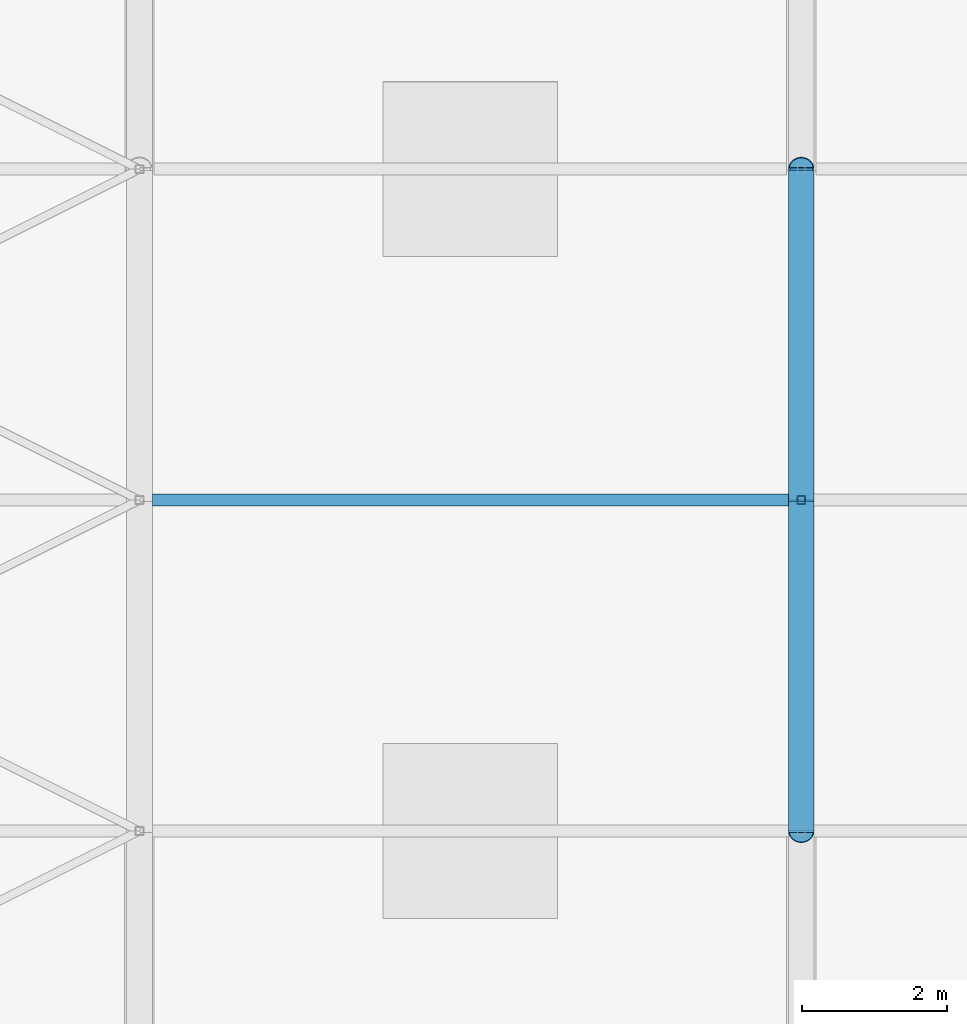
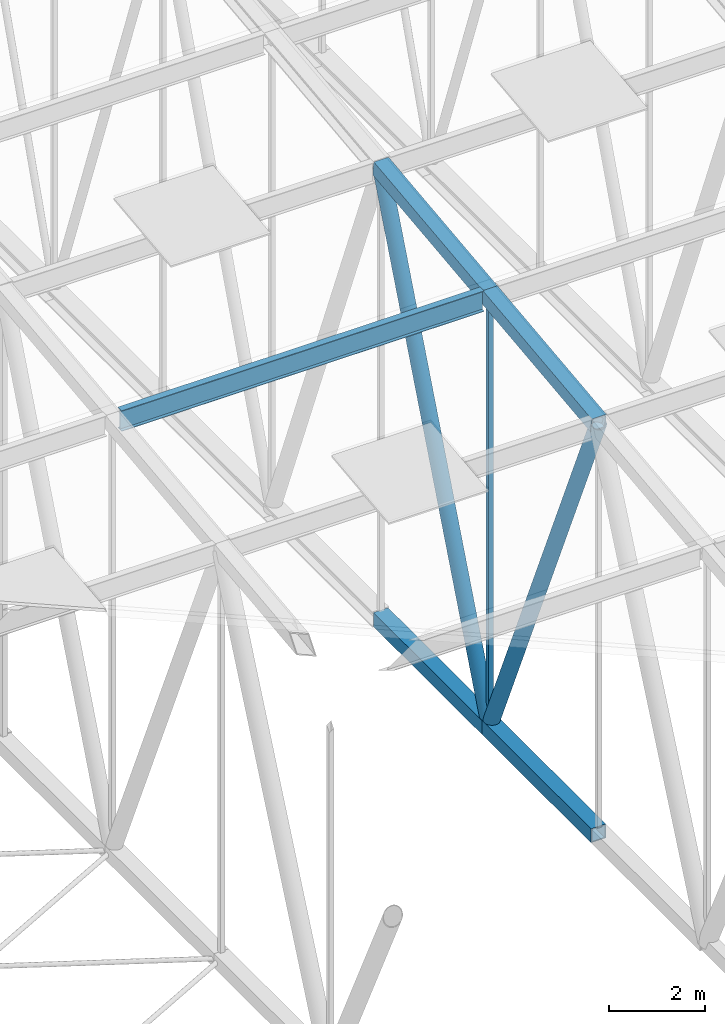
# One storey, part 129 of 500: 8 members.
"""IFC4 building model written with IfcOpenShell, lengths in metres."""

from ifc_helpers import new_model, si_unit, direction, frame, origin, origin_2d, place, context, subcontext, project, spatial, hollow_rectangle, hollow_circle, i_section, extrude, material, material_profile, profile_set, type_object, element, save


model = new_model("IFC4")

# Units and contexts
model_context = context("Model", 3, precision=1e-05, world=origin(), true_north=direction((0.0, 1.0)))
body_context = subcontext(model_context, "Body", "Model", "MODEL_VIEW")
ifc_project = project(units=[si_unit("LENGTHUNIT", "METRE"), si_unit("AREAUNIT", "SQUARE_METRE"), si_unit("VOLUMEUNIT", "CUBIC_METRE"), si_unit("PLANEANGLEUNIT", "RADIAN"), si_unit("MASSUNIT", "GRAM", prefix="KILO")], contexts=[model_context])

# Site, building, storey
site_placement = place(None, origin())
site = spatial("IfcSite", under=ifc_project, at=site_placement, CompositionType="ELEMENT")
building_placement = place(site_placement, origin())
building = spatial("IfcBuilding", under=site, at=building_placement, Name="Shirokan Park Arena", CompositionType="ELEMENT")
storey_placement = place(building_placement, frame((0.0, 0.0, 29.1201171875)))
storey = spatial("IfcBuildingStorey", under=building, at=storey_placement, Name="L06", CompositionType="ELEMENT", Elevation=29.1201171875)

# Members
ifc_material_1 = material(Name="Steel S355J2H", Category="steel")
ifc_material_profile_1 = material_profile(ifc_material_1, hollow_rectangle(XDim=0.35595703125, YDim=0.35595703125, WallThickness=0.025390625, at=origin_2d()), Name="HSS355.6X355.6X25.4")
ifc_profile_set_1 = profile_set([ifc_material_profile_1], Name="Steel S355J2H")
member_type_1 = type_object("IfcMemberType", Name="Bottom chord HSS355.6X355.6X25.4", PredefinedType="CHORD", material=ifc_profile_set_1)
for number, where, z_axis, x_axis, name in (
    (1, (63.699951171875, 22.75, 4.677001953125), (0.0, 1.0, 0.0), (-1.0, 0.0, 0.0), "Truss T08 bottom chord 8"),
    (2, (63.699951171875, 27.300048828125, 4.677001953125), (0.0, 1.0, 0.0), (-1.0, 0.0, 0.0), "Truss T08 bottom chord 9"),
):
    element("IfcMember", number, at=place(storey_placement, frame(where, z_axis=z_axis, x_axis=x_axis)), inside=storey, type_object=member_type_1, Name=name, PredefinedType="CHORD", context=body_context, shape_type="SweptSolid", body=[
        extrude(hollow_rectangle(XDim=0.35595703125, YDim=0.35595703125, WallThickness=0.025390625, at=origin_2d()), origin(), (0.0, 0.0, 1.0), 4.550048828125),
    ])
ifc_material_2 = material(Name="Steel ASTM A992", Category="steel")
ifc_material_profile_2 = material_profile(ifc_material_2, i_section(OverallWidth=0.166015625, OverallDepth=0.528076171875, WebThickness=0.009765625, FlangeThickness=0.013671875, at=origin_2d()), Name="W530X74")
ifc_profile_set_2 = profile_set([ifc_material_profile_2], Name="Steel ASTM A992")
member_type_2 = type_object("IfcMemberType", Name="Purlin W530X74", PredefinedType="PURLIN", material=ifc_profile_set_2)
member_1_placement = place(storey_placement, frame((54.778076171875, 27.300048828125, 15.60595703125), z_axis=(1.0, 0.0, 0.0), x_axis=(0.0, 1.0, 0.0)))
element("IfcMember", 3, at=member_1_placement, inside=storey, type_object=member_type_2, Name="Purlin 9 bay 7", PredefinedType="PURLIN", context=body_context, shape_type="SweptSolid", body=[
    extrude(i_section(OverallWidth=0.166015625, OverallDepth=0.528076171875, WebThickness=0.009765625, FlangeThickness=0.013671875, at=origin_2d()), origin(), (0.0, 0.0, 1.0), 8.743896484375),
])
ifc_material_profile_3 = material_profile(ifc_material_1, hollow_rectangle(XDim=0.35595703125, YDim=0.35595703125, WallThickness=0.025390625, at=origin_2d()), Name="HSS355.6X355.6X25.4")
ifc_profile_set_3 = profile_set([ifc_material_profile_3], Name="Steel S355J2H")
member_type_3 = type_object("IfcMemberType", Name="Top chord HSS355.6X355.6X25.4", PredefinedType="CHORD", material=ifc_profile_set_3)
for number, where, z_axis, x_axis, name in (
    (4, (63.699951171875, 22.75, 15.141357421875), (0.0, 0.993532328996, 0.113549598152), (-1.0, 0.0, 0.0), "Truss T08 top chord 8"),
    (5, (63.699951171875, 27.300048828125, 15.661376953125), (0.0, 0.993532328996, 0.113549598152), (-1.0, 0.0, 0.0), "Truss T08 top chord 9"),
):
    element("IfcMember", number, at=place(storey_placement, frame(where, z_axis=z_axis, x_axis=x_axis)), inside=storey, type_object=member_type_3, Name=name, PredefinedType="CHORD", context=body_context, shape_type="SweptSolid", body=[
        extrude(hollow_rectangle(XDim=0.35595703125, YDim=0.35595703125, WallThickness=0.025390625, at=origin_2d()), origin(), (0.0, 0.0, 1.0), 4.57958984375),
    ])
ifc_material_3 = material(Name="Steel ASTM A500 Grade C", Category="steel")
ifc_material_profile_4 = material_profile(ifc_material_3, hollow_circle(Radius=0.177978515625, WallThickness=0.0126953125, at=origin_2d()), Name="HSS355.6X12.7")
ifc_profile_set_4 = profile_set([ifc_material_profile_4], Name="Steel ASTM A500 Grade C")
member_type_4 = type_object("IfcMemberType", Name="Truss diagonal HSS355.6X12.7", PredefinedType="BRACE", material=ifc_profile_set_4)
member_2_placement = place(storey_placement, frame((63.699951171875, 22.75, 15.141357421875), z_axis=(0.0, 0.398750364192, -0.917059511186), x_axis=(-1.0, 0.0, 0.0)))
element("IfcMember", 6, at=member_2_placement, inside=storey, type_object=member_type_4, Name="Truss T08 diagonal 8", PredefinedType="BRACE", context=body_context, shape_type="SweptSolid", body=[
    extrude(hollow_circle(Radius=0.177978515625, WallThickness=0.0126953125, at=origin_2d()), origin(), (0.0, 0.0, 1.0), 11.410888671875),
])
member_3_placement = place(storey_placement, frame((63.699951171875, 27.300048828125, 4.677001953125), z_axis=(0.0, 0.367784702528, 0.929910970248), x_axis=(-1.0, 0.0, 0.0)))
element("IfcMember", 7, at=member_3_placement, inside=storey, type_object=member_type_4, Name="Truss T08 diagonal 9", PredefinedType="BRACE", context=body_context, shape_type="SweptSolid", body=[
    extrude(hollow_circle(Radius=0.177978515625, WallThickness=0.0126953125, at=origin_2d()), origin(), (0.0, 0.0, 1.0), 12.37158203125),
])
ifc_material_profile_5 = material_profile(ifc_material_3, hollow_rectangle(XDim=0.114013671875, YDim=0.114013671875, WallThickness=0.00634765625, at=origin_2d()), Name="HSS114.3X114.3X6.4")
ifc_profile_set_5 = profile_set([ifc_material_profile_5], Name="Steel ASTM A500 Grade C")
member_type_5 = type_object("IfcMemberType", Name="Truss post HSS114.3X114.3X6.4", PredefinedType="POST", material=ifc_profile_set_5)
member_4_placement = place(storey_placement, frame((63.699951171875, 27.300048828125, 4.677001953125), z_axis=(0.0, 0.0, 1.0), x_axis=(1.0, 0.0, 0.0)))
element("IfcMember", 8, at=member_4_placement, inside=storey, type_object=member_type_5, Name="Truss T08 post 9", PredefinedType="POST", context=body_context, shape_type="SweptSolid", body=[
    extrude(hollow_rectangle(XDim=0.114013671875, YDim=0.114013671875, WallThickness=0.00634765625, at=origin_2d()), origin(), (0.0, 0.0, 1.0), 10.984375),
])

save(model, "model.ifc")
